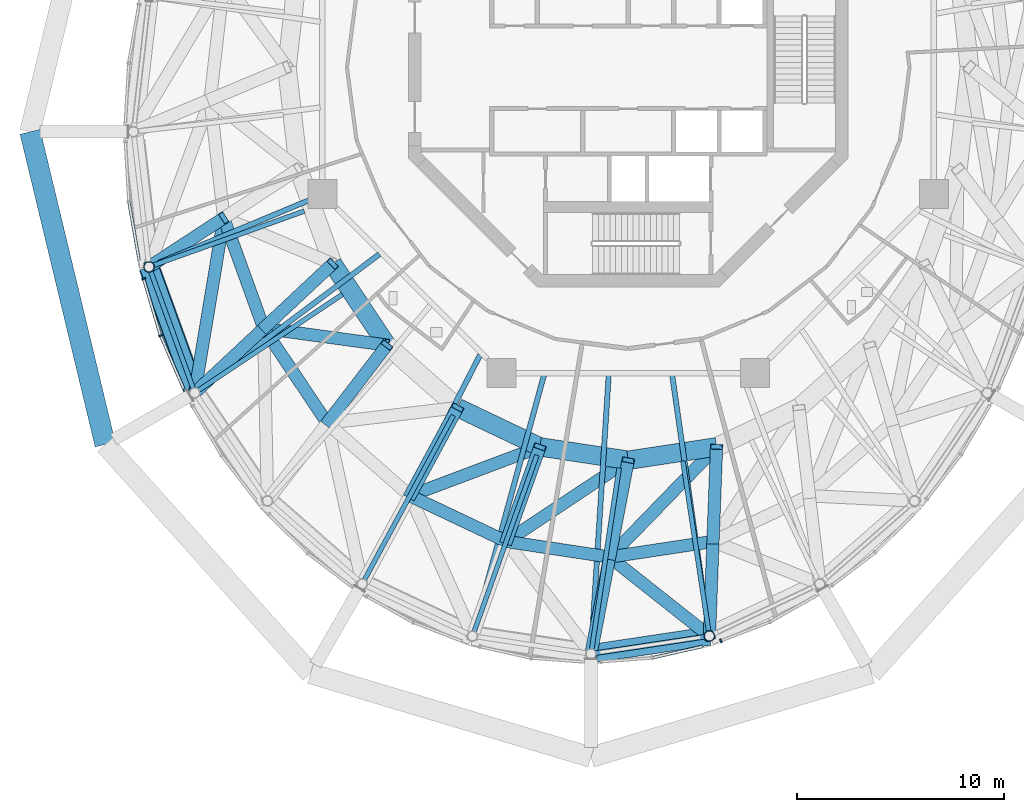
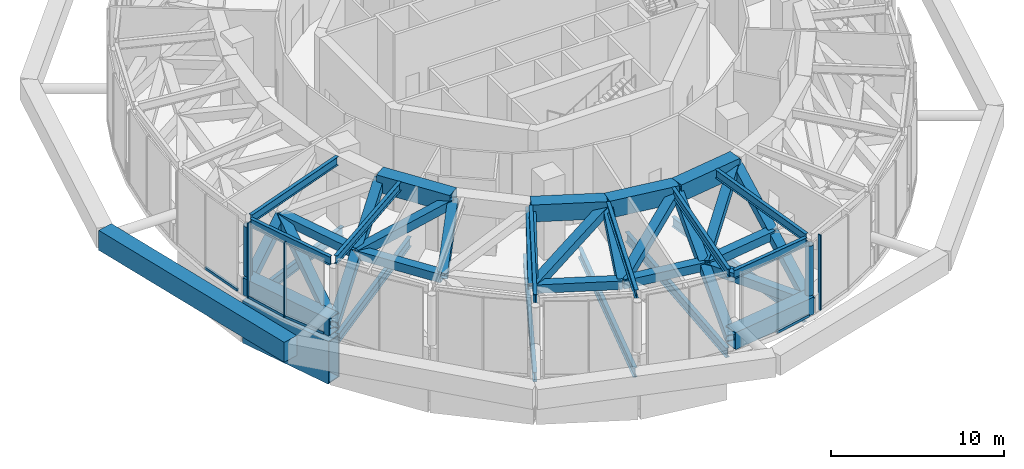
# One storey, part 3 of 22: 42 beams, 10 members, 5 elements without a shape of their own.
"""IFC4 building model written with IfcOpenShell, lengths in metres."""

from ifc_helpers import new_model, si_unit, direction, frame, origin, origin_2d, place, context, subcontext, project, spatial, rectangle, hollow_rectangle, hollow_circle, i_section, extrude, material, layer, layer_set, material_profile, profile_set, type_object, element, aggregate, save


model = new_model("IFC4")

# Units and contexts
model_context = context("Model", 3, precision=1e-05, world=origin(), true_north=direction((0.0, 1.0)))
body_context = subcontext(model_context, "Body", "Model", "MODEL_VIEW")
ifc_project = project(units=[si_unit("LENGTHUNIT", "METRE"), si_unit("AREAUNIT", "SQUARE_METRE"), si_unit("VOLUMEUNIT", "CUBIC_METRE"), si_unit("PLANEANGLEUNIT", "RADIAN"), si_unit("MASSUNIT", "GRAM", prefix="KILO")], contexts=[model_context])

# Site, building, storey
site_placement = place(None, origin())
site = spatial("IfcSite", under=ifc_project, at=site_placement, CompositionType="ELEMENT")
building_placement = place(site_placement, origin())
building = spatial("IfcBuilding", under=site, at=building_placement, Name="Nagisa Residences", CompositionType="ELEMENT")
storey_placement = place(building_placement, frame((0.0, 0.0, 310.300048828125)))
storey = spatial("IfcBuildingStorey", under=building, at=storey_placement, Name="L77", CompositionType="ELEMENT", Elevation=310.300048828125)

# Beams
ifc_material_1 = material(Name="Steel ASTM A572 Gr 50", Category="steel")
ifc_material_profile_1 = material_profile(ifc_material_1, hollow_rectangle(XDim=0.60009765625, YDim=0.60009765625, WallThickness=0.034912109375, at=origin_2d()), Name="BX 600x600x35")
ifc_profile_set_1 = profile_set([ifc_material_profile_1], Name="Steel ASTM A572 Gr 50")
beam_type_1 = type_object("IfcBeamType", Name="Belt chord 6 BX 600x600x35", PredefinedType="BEAM", material=ifc_profile_set_1)
beam_1_placement = place(storey_placement, frame((-19.552001953125, -7.283935546875, 2.64990234375), z_axis=(0.340025147767, -0.940416343375, 0.0), x_axis=(0.940416343375, 0.340025147767, 0.0)))
element("IfcBeam", 1, at=beam_1_placement, inside=storey, type_object=beam_type_1, Name="beam:L77:bt6m14", PredefinedType="BEAM", context=body_context, shape_type="SweptSolid", body=[
    extrude(hollow_rectangle(XDim=0.60009765625, YDim=0.60009765625, WallThickness=0.034912109375, at=origin_2d()), origin(), (0.0, 0.0, 1.0), 5.673095703125),
])
beam_2_placement = place(storey_placement, frame((-17.623046875, -12.618896484375, 2.64990234375), z_axis=(0.556558433262, -0.830808467918, 0.0), x_axis=(0.830808467918, 0.556558433262, 0.0)))
element("IfcBeam", 2, at=beam_2_placement, inside=storey, type_object=beam_type_1, Name="beam:L77:bt6m15", PredefinedType="BEAM", context=body_context, shape_type="SweptSolid", body=[
    extrude(hollow_rectangle(XDim=0.60009765625, YDim=0.60009765625, WallThickness=0.034912109375, at=origin_2d()), origin(), (0.0, 0.0, 1.0), 5.513916015625),
])
beam_3_placement = place(storey_placement, frame((-10.554931640625, -20.71533203125, 2.64990234375), z_axis=(0.903462807489, -0.428666485143, 0.0), x_axis=(0.428666485143, 0.903462807489, 0.0)))
element("IfcBeam", 3, at=beam_3_placement, inside=storey, type_object=beam_type_1, Name="beam:L77:bt6m17", PredefinedType="BEAM", context=body_context, shape_type="SweptSolid", body=[
    extrude(hollow_rectangle(XDim=0.60009765625, YDim=0.60009765625, WallThickness=0.034912109375, at=origin_2d()), origin(), (0.0, 0.0, 1.0), 5.15478515625),
])
for number, where, z_axis, x_axis, name in (
    (4, (-5.897705078125, -22.925048828125, 2.64990234375), (0.988813070576, -0.149160019635, 0.0), (0.149160019635, 0.988813070576, 0.0), "beam:L77:bt6m18"),
    (5, (-0.89990234375, -23.678955078125, 2.64990234375), (0.988813070576, 0.149160019635, 0.0), (-0.149160019635, 0.988813070576, 0.0), "beam:L77:bt6m19"),
):
    element("IfcBeam", number, at=place(storey_placement, frame(where, z_axis=z_axis, x_axis=x_axis)), inside=storey, type_object=beam_type_1, Name=name, PredefinedType="BEAM", context=body_context, shape_type="SweptSolid", body=[
        extrude(hollow_rectangle(XDim=0.60009765625, YDim=0.60009765625, WallThickness=0.034912109375, at=origin_2d()), origin(), (0.0, 0.0, 1.0), 5.054443359375),
    ])
ifc_material_2 = material(Name="Steel ASTM A572 Gr 50", Category="steel")
ifc_material_profile_2 = material_profile(ifc_material_2, hollow_rectangle(XDim=0.89990234375, YDim=1.199951171875, WallThickness=0.0400390625, at=origin_2d()), Name="BX 900x1200x40")
ifc_profile_set_2 = profile_set([ifc_material_profile_2], Name="Steel ASTM A572 Gr 50")
beam_type_2 = type_object("IfcBeamType", Name="Belt chord 6 BX 900x1200x40", PredefinedType="BEAM", material=ifc_profile_set_2)
beam_4_placement = place(storey_placement, frame((-23.166259765625, -9.650390625, 0.599853515625), z_axis=(0.341213297121, -0.939985896632, 0.0), x_axis=(0.939985896632, 0.341213297121, 0.0)))
element("IfcBeam", 6, at=beam_4_placement, inside=storey, type_object=beam_type_2, Name="beam:L77:bt6b14", PredefinedType="BEAM", context=body_context, shape_type="SweptSolid", body=[
    extrude(hollow_rectangle(XDim=0.89990234375, YDim=1.199951171875, WallThickness=0.0400390625, at=origin_2d()), origin(), (0.0, 0.0, 1.0), 6.47607421875),
])
beam_5_placement = place(storey_placement, frame((-14.289306640625, -9.5, 4.699951171875), z_axis=(0.554509546669, -0.832177362497, 0.0), x_axis=(0.832177362497, 0.554509546669, 0.0)))
element("IfcBeam", 7, at=beam_5_placement, inside=storey, type_object=beam_type_2, Name="beam:L77:bt6t15", PredefinedType="BEAM", context=body_context, shape_type="SweptSolid", body=[
    extrude(hollow_rectangle(XDim=0.89990234375, YDim=1.199951171875, WallThickness=0.0400390625, at=origin_2d()), origin(), (0.0, 0.0, 1.0), 4.728515625),
])
beam_6_placement = place(storey_placement, frame((-8.25, -16.45458984375, 4.699951171875), z_axis=(0.902600371107, -0.430479465337, 0.0), x_axis=(0.430479465337, 0.902600371107, 0.0)))
element("IfcBeam", 8, at=beam_6_placement, inside=storey, type_object=beam_type_2, Name="beam:L77:bt6t17", PredefinedType="BEAM", context=body_context, shape_type="SweptSolid", body=[
    extrude(hollow_rectangle(XDim=0.89990234375, YDim=1.199951171875, WallThickness=0.0400390625, at=origin_2d()), origin(), (0.0, 0.0, 1.0), 4.408935546875),
])
beam_7_placement = place(storey_placement, frame((-4.2705078125, -18.3525390625, 4.699951171875), z_axis=(0.988701292906, -0.149899144111, 0.0), x_axis=(0.149899144111, 0.988701292906, 0.0)))
element("IfcBeam", 9, at=beam_7_placement, inside=storey, type_object=beam_type_2, Name="beam:L77:bt6t18", PredefinedType="BEAM", context=body_context, shape_type="SweptSolid", body=[
    extrude(hollow_rectangle(XDim=0.89990234375, YDim=1.199951171875, WallThickness=0.0400390625, at=origin_2d()), origin(), (0.0, 0.0, 1.0), 4.3193359375),
])
beam_8_placement = place(storey_placement, frame((-1.800048828125, -28.357666015625, 0.599853515625), z_axis=(0.988902301615, 0.148567283948, 0.0), x_axis=(-0.148567283948, 0.988902301615, 0.0)))
element("IfcBeam", 10, at=beam_8_placement, inside=storey, type_object=beam_type_2, Name="beam:L77:bt6b19", PredefinedType="BEAM", context=body_context, shape_type="SweptSolid", body=[
    extrude(hollow_rectangle(XDim=0.89990234375, YDim=1.199951171875, WallThickness=0.0400390625, at=origin_2d()), origin(), (0.0, 0.0, 1.0), 5.789306640625),
])
beam_9_placement = place(storey_placement, frame((0.0, -19.0, 4.699951171875), z_axis=(0.988701292906, 0.149899144111, 0.0), x_axis=(-0.149899144111, 0.988701292906, 0.0)))
element("IfcBeam", 11, at=beam_9_placement, inside=storey, type_object=beam_type_2, Name="beam:L77:bt6t19", PredefinedType="BEAM", context=body_context, shape_type="SweptSolid", body=[
    extrude(hollow_rectangle(XDim=0.89990234375, YDim=1.199951171875, WallThickness=0.0400390625, at=origin_2d()), origin(), (0.0, 0.0, 1.0), 4.3193359375),
])
ifc_material_3 = material(Name="Steel ASTM A572 Gr 50", Category="steel")
ifc_material_profile_3 = material_profile(ifc_material_3, hollow_rectangle(XDim=0.60009765625, YDim=0.60009765625, WallThickness=0.034912109375, at=origin_2d()), Name="BX 600x600x35")
ifc_profile_set_3 = profile_set([ifc_material_profile_3], Name="Steel ASTM A572 Gr 50")
beam_type_3 = type_object("IfcBeamType", Name="Belt diagonal 6 BX 600x600x35", PredefinedType="BEAM", material=ifc_profile_set_3)
beam_10_placement = place(storey_placement, frame((-23.166259765625, -9.650390625, 0.599853515625), z_axis=(0.75583529599, 0.494887295598, 0.428718520699), x_axis=(-0.547782174187, 0.83662099522, 0.0)))
element("IfcBeam", 12, at=beam_10_placement, inside=storey, type_object=beam_type_3, Name="beam:L77:bt6la14", PredefinedType="BEAM", context=body_context, shape_type="SweptSolid", body=[
    extrude(hollow_rectangle(XDim=0.60009765625, YDim=0.60009765625, WallThickness=0.034912109375, at=origin_2d()), origin(), (0.0, 0.0, 1.0), 4.78173828125),
])
beam_11_placement = place(storey_placement, frame((-20.95654296875, -15.73779296875, 0.599853515625), z_axis=(0.159398003725, 0.959408078388, 0.23265514293), x_axis=(-0.986477721427, 0.163895409113, 0.0)))
element("IfcBeam", 13, at=beam_11_placement, inside=storey, type_object=beam_type_3, Name="beam:L77:bt6lb14", PredefinedType="BEAM", context=body_context, shape_type="SweptSolid", body=[
    extrude(hollow_rectangle(XDim=0.60009765625, YDim=0.60009765625, WallThickness=0.034912109375, at=origin_2d()), origin(), (0.0, 0.0, 1.0), 8.8115234375),
])
beam_12_placement = place(storey_placement, frame((-20.95654296875, -15.73779296875, 0.599853515625), z_axis=(0.666134420525, 0.623250858518, 0.409662423403), x_axis=(-0.683211408548, 0.730220631884, 0.0)))
element("IfcBeam", 14, at=beam_12_placement, inside=storey, type_object=beam_type_3, Name="beam:L77:bt6la15", PredefinedType="BEAM", context=body_context, shape_type="SweptSolid", body=[
    extrude(hollow_rectangle(XDim=0.60009765625, YDim=0.60009765625, WallThickness=0.034912109375, at=origin_2d()), origin(), (0.0, 0.0, 1.0), 5.004150390625),
])
beam_13_placement = place(storey_placement, frame((-17.623046875, -12.618896484375, 2.64990234375), z_axis=(0.666161557566, 0.623230604021, 0.409649110134), x_axis=(-0.683184728054, 0.730245593861, 0.0)))
element("IfcBeam", 15, at=beam_13_placement, inside=storey, type_object=beam_type_3, Name="beam:L77:bt6ua15", PredefinedType="BEAM", context=body_context, shape_type="SweptSolid", body=[
    extrude(hollow_rectangle(XDim=0.60009765625, YDim=0.60009765625, WallThickness=0.034912109375, at=origin_2d()), origin(), (0.0, 0.0, 1.0), 5.00439453125),
])
beam_14_placement = place(storey_placement, frame((-17.623046875, -12.618896484375, 2.64990234375), z_axis=(0.937713645356, -0.12850078772, 0.322770300474), x_axis=(0.135767422914, 0.990740736457, 0.0)))
element("IfcBeam", 16, at=beam_14_placement, inside=storey, type_object=beam_type_3, Name="beam:L77:bt6ub15", PredefinedType="BEAM", context=body_context, shape_type="SweptSolid", body=[
    extrude(hollow_rectangle(XDim=0.60009765625, YDim=0.60009765625, WallThickness=0.034912109375, at=origin_2d()), origin(), (0.0, 0.0, 1.0), 6.351318359375),
])
beam_15_placement = place(storey_placement, frame((-14.55419921875, -17.199951171875, 2.64990234375), z_axis=(0.558586804958, 0.728453879007, 0.396655678751), x_axis=(-0.793550865702, 0.608503922374, 0.0)))
element("IfcBeam", 17, at=beam_15_placement, inside=storey, type_object=beam_type_3, Name="beam:L77:bt6ua16", PredefinedType="BEAM", context=body_context, shape_type="SweptSolid", body=[
    extrude(hollow_rectangle(XDim=0.60009765625, YDim=0.60009765625, WallThickness=0.034912109375, at=origin_2d()), origin(), (0.0, 0.0, 1.0), 5.168212890625),
])
beam_16_placement = place(storey_placement, frame((-10.554931640625, -20.71533203125, 2.64990234375), z_axis=(0.438186200335, 0.810001649003, 0.389730910307), x_axis=(-0.879548632563, 0.475808998397, 0.0)))
element("IfcBeam", 18, at=beam_16_placement, inside=storey, type_object=beam_type_3, Name="beam:L77:bt6ua17", PredefinedType="BEAM", context=body_context, shape_type="SweptSolid", body=[
    extrude(hollow_rectangle(XDim=0.60009765625, YDim=0.60009765625, WallThickness=0.034912109375, at=origin_2d()), origin(), (0.0, 0.0, 1.0), 5.26025390625),
])
beam_17_placement = place(storey_placement, frame((-10.554931640625, -20.71533203125, 2.64990234375), z_axis=(0.895225483476, 0.33658335842, 0.292032492318), x_axis=(-0.351924302615, 0.936028463899, 0.0)))
element("IfcBeam", 19, at=beam_17_placement, inside=storey, type_object=beam_type_3, Name="beam:L77:bt6ub17", PredefinedType="BEAM", context=body_context, shape_type="SweptSolid", body=[
    extrude(hollow_rectangle(XDim=0.60009765625, YDim=0.60009765625, WallThickness=0.034912109375, at=origin_2d()), origin(), (0.0, 0.0, 1.0), 7.02001953125),
])
beam_18_placement = place(storey_placement, frame((-5.897705078125, -22.925048828125, 2.64990234375), z_axis=(0.308847181669, 0.867876799021, 0.389105744107), x_axis=(-0.942122561382, 0.335268667393, 0.0)))
element("IfcBeam", 20, at=beam_18_placement, inside=storey, type_object=beam_type_3, Name="beam:L77:bt6ua18", PredefinedType="BEAM", context=body_context, shape_type="SweptSolid", body=[
    extrude(hollow_rectangle(XDim=0.60009765625, YDim=0.60009765625, WallThickness=0.034912109375, at=origin_2d()), origin(), (0.0, 0.0, 1.0), 5.2685546875),
])
beam_19_placement = place(storey_placement, frame((-5.897705078125, -22.925048828125, 2.64990234375), z_axis=(0.799681409029, 0.53220507567, 0.277970144952), x_axis=(-0.554039948534, 0.832490081279, 0.0)))
element("IfcBeam", 21, at=beam_19_placement, inside=storey, type_object=beam_type_3, Name="beam:L77:bt6ub18", PredefinedType="BEAM", context=body_context, shape_type="SweptSolid", body=[
    extrude(hollow_rectangle(XDim=0.60009765625, YDim=0.60009765625, WallThickness=0.034912109375, at=origin_2d()), origin(), (0.0, 0.0, 1.0), 7.375),
])
beam_20_placement = place(storey_placement, frame((-1.800048828125, -28.357666015625, 0.599853515625), z_axis=(0.173544323568, 0.902035100854, 0.395240489557), x_axis=(-0.981991093232, 0.188927215651, 0.0)))
element("IfcBeam", 22, at=beam_20_placement, inside=storey, type_object=beam_type_3, Name="beam:L77:bt6la19", PredefinedType="BEAM", context=body_context, shape_type="SweptSolid", body=[
    extrude(hollow_rectangle(XDim=0.60009765625, YDim=0.60009765625, WallThickness=0.034912109375, at=origin_2d()), origin(), (0.0, 0.0, 1.0), 5.186767578125),
])
beam_21_placement = place(storey_placement, frame((3.925048828125, -27.49755859375, 0.599853515625), z_axis=(-0.743934344765, 0.588770788163, 0.316086459191), x_axis=(-0.620588098808, -0.78413673018, 0.0)))
element("IfcBeam", 23, at=beam_21_placement, inside=storey, type_object=beam_type_3, Name="beam:L77:bt6lb19", PredefinedType="BEAM", context=body_context, shape_type="SweptSolid", body=[
    extrude(hollow_rectangle(XDim=0.60009765625, YDim=0.60009765625, WallThickness=0.034912109375, at=origin_2d()), origin(), (0.0, 0.0, 1.0), 6.48583984375),
])
beam_22_placement = place(storey_placement, frame((-0.89990234375, -23.678955078125, 2.64990234375), z_axis=(0.173491305103, 0.902051237737, 0.395226936774), x_axis=(-0.982002426551, 0.188868298683, 0.0)))
element("IfcBeam", 24, at=beam_22_placement, inside=storey, type_object=beam_type_3, Name="beam:L77:bt6ua19", PredefinedType="BEAM", context=body_context, shape_type="SweptSolid", body=[
    extrude(hollow_rectangle(XDim=0.60009765625, YDim=0.60009765625, WallThickness=0.034912109375, at=origin_2d()), origin(), (0.0, 0.0, 1.0), 5.18701171875),
])
beam_23_placement = place(storey_placement, frame((-0.89990234375, -23.678955078125, 2.64990234375), z_axis=(0.671388146488, 0.691645820754, 0.266202959017), x_axis=(-0.717536696742, 0.696520702369, 0.0)))
element("IfcBeam", 25, at=beam_23_placement, inside=storey, type_object=beam_type_3, Name="beam:L77:bt6ub19", PredefinedType="BEAM", context=body_context, shape_type="SweptSolid", body=[
    extrude(hollow_rectangle(XDim=0.60009765625, YDim=0.60009765625, WallThickness=0.034912109375, at=origin_2d()), origin(), (0.0, 0.0, 1.0), 7.701171875),
])
for number, where, z_axis, x_axis, name in (
    (26, (3.925048828125, -27.49755859375, 0.599853515625), (0.034473629976, 0.911944372638, 0.408863094508), (-0.99928625647, 0.037775357445, 0.0), "beam:L77:bt6la20"),
    (27, (4.097900390625, -22.925048828125, 2.64990234375), (0.034424996153, 0.911945902328, 0.408863780332), (-0.99928826912, 0.037722078395, 0.0), "beam:L77:bt6ua20"),
):
    element("IfcBeam", number, at=place(storey_placement, frame(where, z_axis=z_axis, x_axis=x_axis)), inside=storey, type_object=beam_type_3, Name=name, PredefinedType="BEAM", context=body_context, shape_type="SweptSolid", body=[
        extrude(hollow_rectangle(XDim=0.60009765625, YDim=0.60009765625, WallThickness=0.034912109375, at=origin_2d()), origin(), (0.0, 0.0, 1.0), 5.013916015625),
    ])

# Curtain wall, member
ifc_material_4 = material(Name="Aluminium curtain wall system", Category="aluminium")
ifc_layer = layer(ifc_material_4, 0.159912109375)
ifc_layer_set = layer_set([ifc_layer], Name="CW2 CURTAIN WALL")
curtain_wall_type = type_object("IfcCurtainWallType", Name="CW2 CURTAIN WALL", PredefinedType="NOTDEFINED", material=ifc_layer_set)
curtain_wall_1_placement = place(storey_placement, origin())
curtain_wall_1 = element("IfcCurtainWall", 28, at=curtain_wall_1_placement, inside=storey, type_object=curtain_wall_type, Name="cw:CW2:L77:26", PredefinedType="NOTDEFINED")
ifc_material_5 = material(Name="Aluminium", Category="aluminium")
ifc_material_profile_4 = material_profile(ifc_material_5, rectangle(XDim=0.199951171875, YDim=0.080078125, at=origin_2d()), Name="CW2 MULLION 200x80")
ifc_profile_set_4 = profile_set([ifc_material_profile_4], Name="Aluminium")
member_type_1 = type_object("IfcMemberType", Name="CW2 MULLION 200x80", PredefinedType="MULLION", material=ifc_profile_set_4)
member_1_placement = place(storey_placement, frame((-23.4326171875, -10.226318359375, 0.0), z_axis=(0.0, 0.0, 1.0), x_axis=(0.958271310082, 0.285860274038, 0.0)))
member_1 = element("IfcMember", 29, at=member_1_placement, type_object=member_type_1, Name="CW2 mullion", PredefinedType="MULLION", context=body_context, shape_type="SweptSolid", body=[
    extrude(rectangle(XDim=0.199951171875, YDim=0.080078125, at=origin_2d()), origin(), (0.0, 0.0, 1.0), 5.300048828125),
])

curtain_wall_2_placement = place(storey_placement, origin())
curtain_wall_2 = element("IfcCurtainWall", 30, at=curtain_wall_2_placement, inside=storey, type_object=curtain_wall_type, Name="cw:CW2:L77:27", PredefinedType="NOTDEFINED")
member_2_placement = place(storey_placement, frame((-22.60888671875, -12.972900390625, 0.0), z_axis=(0.0, 0.0, 1.0), x_axis=(0.917543276295, 0.397635934147, 0.0)))
member_2 = element("IfcMember", 31, at=member_2_placement, type_object=member_type_1, Name="CW2 mullion", PredefinedType="MULLION", context=body_context, shape_type="SweptSolid", body=[
    extrude(rectangle(XDim=0.199951171875, YDim=0.080078125, at=origin_2d()), origin(), (0.0, 0.0, 1.0), 5.300048828125),
])

curtain_wall_3_placement = place(storey_placement, origin())
curtain_wall_3 = element("IfcCurtainWall", 32, at=curtain_wall_3_placement, inside=storey, type_object=curtain_wall_type, Name="cw:CW2:L77:38", PredefinedType="NOTDEFINED")
member_3_placement = place(storey_placement, frame((4.482666015625, -27.7294921875, 0.0), z_axis=(0.0, 0.0, 1.0), x_axis=(-0.360327770268, 0.932825759707, 0.0)))
member_3 = element("IfcMember", 33, at=member_3_placement, type_object=member_type_1, Name="CW2 mullion", PredefinedType="MULLION", context=body_context, shape_type="SweptSolid", body=[
    extrude(rectangle(XDim=0.199951171875, YDim=0.080078125, at=origin_2d()), origin(), (0.0, 0.0, 1.0), 5.300048828125),
])
aggregate(curtain_wall_3, [member_3])

curtain_wall_4_placement = place(storey_placement, origin())
curtain_wall_4 = element("IfcCurtainWall", 34, at=curtain_wall_4_placement, inside=storey, type_object=curtain_wall_type, Name="cw:CW2:L77:25", PredefinedType="NOTDEFINED")
ifc_material_6 = material(Name="Aluminium", Category="aluminium")
ifc_material_profile_5 = material_profile(ifc_material_6, rectangle(XDim=0.139892578125, YDim=0.179931640625, at=origin_2d()), Name="CW2 TRANSOM 140x180")
ifc_profile_set_5 = profile_set([ifc_material_profile_5], Name="Aluminium")
member_type_2 = type_object("IfcMemberType", Name="CW2 TRANSOM 140x180", PredefinedType="USERDEFINED", material=ifc_profile_set_5)
member_4_placement = place(storey_placement, frame((-24.147705078125, -6.463623046875, 0.08984375), z_axis=(0.172182411767, -0.985065082661, 0.0), x_axis=(0.985065082661, 0.172182411767, 0.0)))
member_4 = element("IfcMember", 35, at=member_4_placement, type_object=member_type_2, Name="CW2 transom", ObjectType="TRANSOM", PredefinedType="USERDEFINED", context=body_context, shape_type="SweptSolid", body=[
    extrude(rectangle(XDim=0.139892578125, YDim=0.179931640625, at=origin_2d()), origin(), (0.0, 0.0, 1.0), 2.902587890625),
])
aggregate(curtain_wall_4, [member_4])

# Member
member_5_placement = place(storey_placement, frame((-23.44384765625, -10.18798828125, 0.08984375), z_axis=(0.285798286059, -0.958289799427, 0.0), x_axis=(0.958289799427, 0.285798286059, 0.0)))
member_5 = element("IfcMember", 36, at=member_5_placement, type_object=member_type_2, Name="CW2 transom", ObjectType="TRANSOM", PredefinedType="USERDEFINED", context=body_context, shape_type="SweptSolid", body=[
    extrude(rectangle(XDim=0.139892578125, YDim=0.179931640625, at=origin_2d()), origin(), (0.0, 0.0, 1.0), 2.877197265625),
])

aggregate(curtain_wall_1, [member_1, member_5])

member_6_placement = place(storey_placement, frame((-22.624755859375, -12.93603515625, 0.08984375), z_axis=(0.397597791596, -0.9175598052, 0.0), x_axis=(0.9175598052, 0.397597791596, 0.0)))
member_6 = element("IfcMember", 37, at=member_6_placement, type_object=member_type_2, Name="CW2 transom", ObjectType="TRANSOM", PredefinedType="USERDEFINED", context=body_context, shape_type="SweptSolid", body=[
    extrude(rectangle(XDim=0.139892578125, YDim=0.179931640625, at=origin_2d()), origin(), (0.0, 0.0, 1.0), 2.841064453125),
])

aggregate(curtain_wall_2, [member_2, member_6])

# Curtain wall, member
curtain_wall_5_placement = place(storey_placement, origin())
curtain_wall_5 = element("IfcCurtainWall", 38, at=curtain_wall_5_placement, inside=storey, type_object=curtain_wall_type, Name="cw:CW2:L77:37", PredefinedType="NOTDEFINED")
member_7_placement = place(storey_placement, frame((1.134765625, -28.5595703125, 0.08984375), z_axis=(0.975319584032, 0.220797891756, 0.0), x_axis=(-0.220797891756, 0.975319584032, 0.0)))
member_7 = element("IfcMember", 39, at=member_7_placement, type_object=member_type_2, Name="CW2 transom", ObjectType="TRANSOM", PredefinedType="USERDEFINED", context=body_context, shape_type="SweptSolid", body=[
    extrude(rectangle(XDim=0.139892578125, YDim=0.179931640625, at=origin_2d()), origin(), (0.0, 0.0, 1.0), 2.525390625),
])
aggregate(curtain_wall_5, [member_7])

# Member
ifc_material_7 = material(Name="Concrete C80", Category="concrete")
ifc_material_profile_6 = material_profile(ifc_material_7, rectangle(XDim=1.0, YDim=1.39990234375, at=origin_2d()), Name="C80 1000x1400")
ifc_profile_set_6 = profile_set([ifc_material_profile_6], Name="Concrete C80")
member_type_3 = type_object("IfcMemberType", Name="Cage ring 6 C80 1000x1400", PredefinedType="CHORD", material=ifc_profile_set_6)
member_8_placement = place(storey_placement, frame((-28.919921875, -3.11767578125, 1.89990234375), z_axis=(0.23364489959, -0.972321994452, 0.0), x_axis=(0.972321994452, 0.23364489959, 0.0)))
element("IfcMember", 40, at=member_8_placement, inside=storey, type_object=member_type_3, Name="beam:L77:cg6r107", PredefinedType="CHORD", context=body_context, shape_type="SweptSolid", body=[
    extrude(rectangle(XDim=1.0, YDim=1.39990234375, at=origin_2d()), origin(), (0.0, 0.0, 1.0), 15.550537109375),
])

# Beams
ifc_material_8 = material(Name="Steel ASTM A572 Gr 50", Category="steel")
ifc_material_profile_7 = material_profile(ifc_material_8, i_section(OverallWidth=0.22802734375, OverallDepth=0.60302734375, WebThickness=0.010498046875, FlangeThickness=0.014892578125, at=origin_2d()), Name="W610x101")
ifc_profile_set_7 = profile_set([ifc_material_profile_7], Name="Steel ASTM A572 Gr 50")
beam_type_4 = type_object("IfcBeamType", Name="Garden edge beam W610x101", PredefinedType="BEAM", material=ifc_profile_set_7)
beam_24_placement = place(storey_placement, frame((-23.08642578125, -9.870361328125, 4.99853515625), z_axis=(0.341217712113, -0.939984293986, 0.0), x_axis=(0.939984293986, 0.341217712113, 0.0)))
element("IfcBeam", 41, at=beam_24_placement, inside=storey, type_object=beam_type_4, Name="beam:L77:bt6ge14", PredefinedType="BEAM", context=body_context, shape_type="SweptSolid", body=[
    extrude(i_section(OverallWidth=0.22802734375, OverallDepth=0.60302734375, WebThickness=0.010498046875, FlangeThickness=0.014892578125, at=origin_2d()), origin(), (0.0, 0.0, 1.0), 6.008056640625),
])
beam_25_placement = place(storey_placement, frame((-1.568603515625, -28.322998046875, 4.99853515625), z_axis=(0.988903348477, 0.148560315597, 0.0), x_axis=(-0.148560315597, 0.988903348477, 0.0)))
element("IfcBeam", 42, at=beam_25_placement, inside=storey, type_object=beam_type_4, Name="beam:L77:bt6ge19", PredefinedType="BEAM", context=body_context, shape_type="SweptSolid", body=[
    extrude(i_section(OverallWidth=0.22802734375, OverallDepth=0.60302734375, WebThickness=0.010498046875, FlangeThickness=0.014892578125, at=origin_2d()), origin(), (0.0, 0.0, 1.0), 5.3212890625),
])

# Members
ifc_material_9 = material(Name="Steel ASTM A572 Gr 65", Category="steel")
ifc_material_profile_8 = material_profile(ifc_material_9, hollow_circle(Radius=0.25390625, WallThickness=0.02001953125, at=origin_2d()), Name="CHS 508x20")
ifc_profile_set_8 = profile_set([ifc_material_profile_8], Name="Steel ASTM A572 Gr 65")
member_type_4 = type_object("IfcMemberType", Name="Garden edge post CHS 508x20", PredefinedType="POST", material=ifc_profile_set_8)
for number, where, z_axis, x_axis, name in (
    (43, (-23.166259765625, -9.650390625, 1.199951171875), (0.0, 0.0, 1.0), (1.0, 0.0, 0.0), "mem:L77:gp614"),
    (44, (3.925048828125, -27.49755859375, 1.199951171875), (0.0, 0.0, 1.0), (1.0, 0.0, 0.0), "mem:L77:gp620"),
):
    element("IfcMember", number, at=place(storey_placement, frame(where, z_axis=z_axis, x_axis=x_axis)), inside=storey, type_object=member_type_4, Name=name, PredefinedType="POST", context=body_context, shape_type="SweptSolid", body=[
        extrude(hollow_circle(Radius=0.25390625, WallThickness=0.02001953125, at=origin_2d()), origin(), (0.0, 0.0, 1.0), 3.4970703125),
    ])

# Beams
ifc_material_10 = material(Name="Steel ASTM A572 Gr 50", Category="steel")
ifc_material_profile_9 = material_profile(ifc_material_10, i_section(OverallWidth=0.22802734375, OverallDepth=0.60302734375, WebThickness=0.010498046875, FlangeThickness=0.014892578125, at=origin_2d()), Name="W610x101")
ifc_profile_set_9 = profile_set([ifc_material_profile_9], Name="Steel ASTM A572 Gr 50")
beam_type_5 = type_object("IfcBeamType", Name="Garden radial beam W610x101", PredefinedType="BEAM", material=ifc_profile_set_9)
beam_26_placement = place(storey_placement, frame((-22.946044921875, -9.571044921875, 4.99853515625), z_axis=(0.940979461406, 0.338463666015, 0.0), x_axis=(-0.338463666015, 0.940979461406, 0.0)))
element("IfcBeam", 45, at=beam_26_placement, inside=storey, type_object=beam_type_5, Name="beam:L77:bt6gr14", PredefinedType="BEAM", context=body_context, shape_type="SweptSolid", body=[
    extrude(i_section(OverallWidth=0.22802734375, OverallDepth=0.60302734375, WebThickness=0.010498046875, FlangeThickness=0.014892578125, at=origin_2d()), origin(), (0.0, 0.0, 1.0), 7.73974609375),
])
beam_27_placement = place(storey_placement, frame((-20.76171875, -15.60791015625, 4.99853515625), z_axis=(0.832167325863, 0.554524608802, 0.0), x_axis=(-0.554524608802, 0.832167325863, 0.0)))
element("IfcBeam", 46, at=beam_27_placement, inside=storey, type_object=beam_type_5, Name="beam:L77:bt6gr15", PredefinedType="BEAM", context=body_context, shape_type="SweptSolid", body=[
    extrude(i_section(OverallWidth=0.22802734375, OverallDepth=0.60302734375, WebThickness=0.010498046875, FlangeThickness=0.014892578125, at=origin_2d()), origin(), (0.0, 0.0, 1.0), 8.343017578125),
])
beam_28_placement = place(storey_placement, frame((-12.748779296875, -24.770263671875, 4.99853515625), z_axis=(0.4758299072, 0.879537321217, 0.0), x_axis=(-0.879537321217, 0.4758299072, 0.0)))
element("IfcBeam", 47, at=beam_28_placement, inside=storey, type_object=beam_type_5, Name="beam:L77:bt6gr17", PredefinedType="BEAM", context=body_context, shape_type="SweptSolid", body=[
    extrude(i_section(OverallWidth=0.22802734375, OverallDepth=0.60302734375, WebThickness=0.010498046875, FlangeThickness=0.014892578125, at=origin_2d()), origin(), (0.0, 0.0, 1.0), 9.024658203125),
])
beam_29_placement = place(storey_placement, frame((-7.446533203125, -27.277099609375, 4.99853515625), z_axis=(0.335270646796, 0.942121856979, 0.0), x_axis=(-0.942121856979, 0.335270646796, 0.0)))
element("IfcBeam", 48, at=beam_29_placement, inside=storey, type_object=beam_type_5, Name="beam:L77:bt6gr18", PredefinedType="BEAM", context=body_context, shape_type="SweptSolid", body=[
    extrude(i_section(OverallWidth=0.22802734375, OverallDepth=0.60302734375, WebThickness=0.010498046875, FlangeThickness=0.014892578125, at=origin_2d()), origin(), (0.0, 0.0, 1.0), 9.042724609375),
])
beam_30_placement = place(storey_placement, frame((-1.764892578125, -28.126220703125, 4.99853515625), z_axis=(0.149886211504, 0.98870325356, 0.0), x_axis=(-0.98870325356, 0.149886211504, 0.0)))
element("IfcBeam", 49, at=beam_30_placement, inside=storey, type_object=beam_type_5, Name="beam:L77:bt6gr19", PredefinedType="BEAM", context=body_context, shape_type="SweptSolid", body=[
    extrude(i_section(OverallWidth=0.22802734375, OverallDepth=0.60302734375, WebThickness=0.010498046875, FlangeThickness=0.014892578125, at=origin_2d()), origin(), (0.0, 0.0, 1.0), 8.857666015625),
])
beam_31_placement = place(storey_placement, frame((3.889892578125, -27.266357421875, 4.99853515625), z_axis=(-0.149868788999, 0.988705894634, 0.0), x_axis=(-0.988705894634, -0.149868788999, 0.0)))
element("IfcBeam", 50, at=beam_31_placement, inside=storey, type_object=beam_type_5, Name="beam:L77:bt6gr20", PredefinedType="BEAM", context=body_context, shape_type="SweptSolid", body=[
    extrude(i_section(OverallWidth=0.22802734375, OverallDepth=0.60302734375, WebThickness=0.010498046875, FlangeThickness=0.014892578125, at=origin_2d()), origin(), (0.0, 0.0, 1.0), 8.325927734375),
])
ifc_material_11 = material(Name="Steel ASTM A572 Gr 50", Category="steel")
ifc_material_profile_10 = material_profile(ifc_material_11, hollow_rectangle(XDim=1.0, YDim=3.0, WallThickness=0.070068359375, at=origin_2d()), Name="BX 1000x3000x70")
ifc_profile_set_10 = profile_set([ifc_material_profile_10], Name="Steel ASTM A572 Gr 50")
beam_type_6 = type_object("IfcBeamType", Name="Portal lintel girder BX 1000x3000x70", PredefinedType="BEAM", material=ifc_profile_set_10)
beam_32_placement = place(storey_placement, frame((-23.166259765625, -9.650390625, -1.85009765625), z_axis=(0.341213297121, -0.939985896632, 0.0), x_axis=(0.939985896632, 0.341213297121, 0.0)))
element("IfcBeam", 51, at=beam_32_placement, inside=storey, type_object=beam_type_6, Name="beam:L77:pb14", PredefinedType="BEAM", context=body_context, shape_type="SweptSolid", body=[
    extrude(hollow_rectangle(XDim=1.0, YDim=3.0, WallThickness=0.070068359375, at=origin_2d()), origin(), (0.0, 0.0, 1.0), 6.47607421875),
])
ifc_material_12 = material(Name="Steel ASTM A572 Gr 50", Category="steel")
ifc_material_profile_11 = material_profile(ifc_material_12, i_section(OverallWidth=0.2529296875, OverallDepth=0.677978515625, WebThickness=0.01171875, FlangeThickness=0.016357421875, at=origin_2d()), Name="W690x125")
ifc_profile_set_11 = profile_set([ifc_material_profile_11], Name="Steel ASTM A572 Gr 50")
beam_type_7 = type_object("IfcBeamType", Name="Radial beam W690x125", PredefinedType="BEAM", material=ifc_profile_set_11)
beam_33_placement = place(storey_placement, frame((-22.717041015625, -9.463134765625, -0.68896484375), z_axis=(0.923107514861, 0.384541956107, 0.0), x_axis=(-0.384541956107, 0.923107514861, 0.0)))
element("IfcBeam", 52, at=beam_33_placement, inside=storey, type_object=beam_type_7, Name="beam:L77:rb14", PredefinedType="BEAM", context=body_context, shape_type="SweptSolid", body=[
    extrude(i_section(OverallWidth=0.2529296875, OverallDepth=0.677978515625, WebThickness=0.01171875, FlangeThickness=0.016357421875, at=origin_2d()), origin(), (0.0, 0.0, 1.0), 8.499267578125),
])
beam_34_placement = place(storey_placement, frame((-20.56640625, -15.44482421875, -0.68896484375), z_axis=(0.799623872213, 0.600501176507, 0.0), x_axis=(-0.600501176507, 0.799623872213, 0.0)))
element("IfcBeam", 53, at=beam_34_placement, inside=storey, type_object=beam_type_7, Name="beam:L77:rb15", PredefinedType="BEAM", context=body_context, shape_type="SweptSolid", body=[
    extrude(i_section(OverallWidth=0.2529296875, OverallDepth=0.677978515625, WebThickness=0.01171875, FlangeThickness=0.016357421875, at=origin_2d()), origin(), (0.0, 0.0, 1.0), 10.675537109375),
])
beam_35_placement = place(storey_placement, frame((-12.638916015625, -24.546875, -0.68896484375), z_axis=(0.45776460698, 0.889073430374, 0.0), x_axis=(-0.889073430374, 0.45776460698, 0.0)))
element("IfcBeam", 54, at=beam_35_placement, inside=storey, type_object=beam_type_7, Name="beam:L77:rb17", PredefinedType="BEAM", context=body_context, shape_type="SweptSolid", body=[
    extrude(i_section(OverallWidth=0.2529296875, OverallDepth=0.677978515625, WebThickness=0.01171875, FlangeThickness=0.016357421875, at=origin_2d()), origin(), (0.0, 0.0, 1.0), 11.968994140625),
])
beam_36_placement = place(storey_placement, frame((-7.3984375, -27.034423828125, -0.68896484375), z_axis=(0.263974116671, 0.964529764045, 0.0), x_axis=(-0.964529764045, 0.263974116671, 0.0)))
element("IfcBeam", 55, at=beam_36_placement, inside=storey, type_object=beam_type_7, Name="beam:L77:rb18", PredefinedType="BEAM", context=body_context, shape_type="SweptSolid", body=[
    extrude(i_section(OverallWidth=0.2529296875, OverallDepth=0.677978515625, WebThickness=0.01171875, FlangeThickness=0.016357421875, at=origin_2d()), origin(), (0.0, 0.0, 1.0), 12.585693359375),
])
beam_37_placement = place(storey_placement, frame((-1.77587890625, -27.9775390625, -0.68896484375), z_axis=(0.063356818191, 0.997990938631, 0.0), x_axis=(-0.997990938631, 0.063356818191, 0.0)))
element("IfcBeam", 56, at=beam_37_placement, inside=storey, type_object=beam_type_7, Name="beam:L77:rb19", PredefinedType="BEAM", context=body_context, shape_type="SweptSolid", body=[
    extrude(i_section(OverallWidth=0.2529296875, OverallDepth=0.677978515625, WebThickness=0.01171875, FlangeThickness=0.016357421875, at=origin_2d()), origin(), (0.0, 0.0, 1.0), 13.109375),
])
beam_38_placement = place(storey_placement, frame((3.87060546875, -27.11669921875, -0.68896484375), z_axis=(-0.1412940026, 0.989967678679, 0.0), x_axis=(-0.989967678679, -0.1412940026, 0.0)))
element("IfcBeam", 57, at=beam_38_placement, inside=storey, type_object=beam_type_7, Name="beam:L77:rb20", PredefinedType="BEAM", context=body_context, shape_type="SweptSolid", body=[
    extrude(i_section(OverallWidth=0.2529296875, OverallDepth=0.677978515625, WebThickness=0.01171875, FlangeThickness=0.016357421875, at=origin_2d()), origin(), (0.0, 0.0, 1.0), 12.345703125),
])

save(model, "model.ifc")
